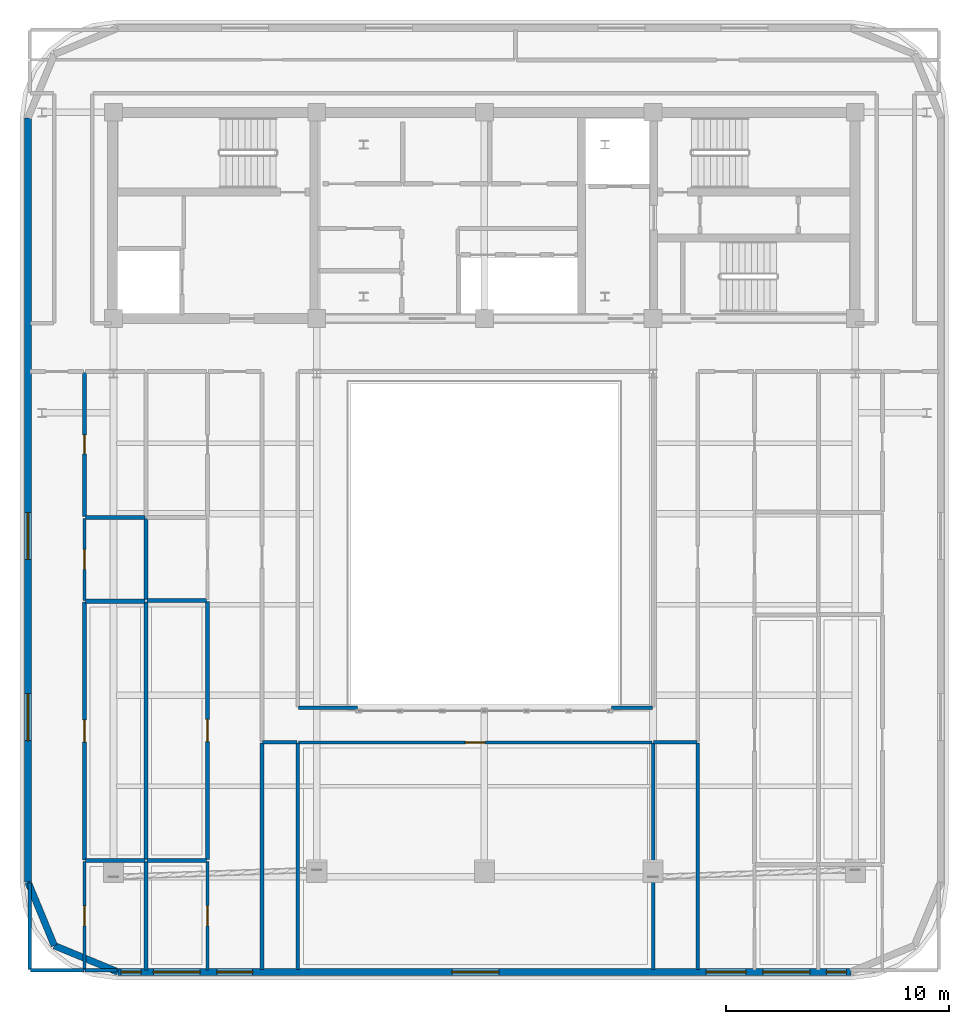
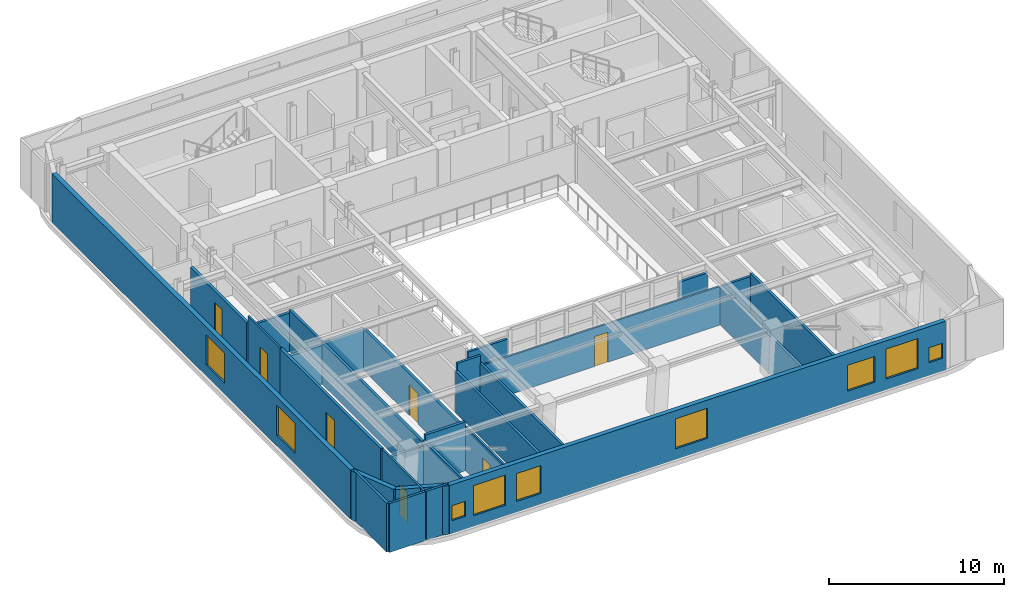
# One storey, part 6 of 13: 30 walls, 9 windows, 7 doors, 16 openings.
"""IFC4 building model written with IfcOpenShell, lengths in metres."""

from ifc_helpers import new_model, si_unit, direction, frame, frame_2d, origin, place, context, subcontext, project, spatial, rectangle, extrude, material, layer, layer_set, type_object, element, fill, save


model = new_model("IFC4")

# Units and contexts
model_context = context("Model", 3, precision=1e-05, world=origin(), true_north=direction((0.0, 1.0)))
body_context = subcontext(model_context, "Body", "Model", "MODEL_VIEW")
ifc_project = project(units=[si_unit("LENGTHUNIT", "METRE"), si_unit("AREAUNIT", "SQUARE_METRE"), si_unit("VOLUMEUNIT", "CUBIC_METRE"), si_unit("PLANEANGLEUNIT", "RADIAN"), si_unit("MASSUNIT", "GRAM", prefix="KILO")], contexts=[model_context])

# Site, building, storey
site_placement = place(None, origin())
site = spatial("IfcSite", under=ifc_project, at=site_placement, CompositionType="ELEMENT")
building_placement = place(site_placement, origin())
building = spatial("IfcBuilding", under=site, at=building_placement, Name="Zarnavel Station Tower", CompositionType="ELEMENT")
storey_placement = place(building_placement, frame((0.0, 0.0, 254.699951171875)))
storey = spatial("IfcBuildingStorey", under=building, at=storey_placement, Name="L69", CompositionType="ELEMENT", Elevation=254.699951171875)

# Wall, openings, windows
ifc_material_1 = material(Name="Precast concrete C45/55 (Dark Basalt Finish)", Category="masonry")
ifc_layer_1 = layer(ifc_material_1, 0.300048828125)
ifc_layer_set_1 = layer_set([ifc_layer_1], Name="EW_BASALT_300")
wall_type_1 = type_object("IfcWallType", Name="EW_BASALT_300", PredefinedType="SOLIDWALL", material=ifc_layer_set_1)
wall_1_placement = place(storey_placement, frame((8.3798828125, 2.60009765625, 0.0), z_axis=(0.0, 0.0, 1.0), x_axis=(0.0, 1.0, 0.0)))
wall_1 = element("IfcWall", 1, at=wall_1_placement, inside=storey, type_object=wall_type_1, Name="L69 Exterior Basalt Masonry Frame Wall 09", PredefinedType="SOLIDWALL", context=body_context, shape_type="SweptSolid", body=[
    extrude(rectangle(XDim=34.199951171875, YDim=0.300048828125, at=frame_2d((17.10009765625, 0.0))), origin(), (0.0, 0.0, 1.0), 3.420166015625),
])
opening_1_placement = place(wall_1_placement, frame((6.330078125, 0.0, 0.75)))
opening_1 = element("IfcOpeningElement", 2, at=opening_1_placement, cuts=wall_1, Name="Opening WN05", PredefinedType="OPENING", context=body_context, shape_type="SweptSolid", body=[
    extrude(rectangle(XDim=2.10009765625, YDim=2.10009765625, at=frame_2d((1.050048828125, 1.050048828125))), frame((0.0, 0.159912109375, 0.0), z_axis=(0.0, -1.0, 0.0), x_axis=(1.0, 0.0, 0.0)), (0.0, 0.0, 1.0), 0.320068359375),
])
opening_2_placement = place(wall_1_placement, frame((14.43994140625, 0.0, 0.75)))
opening_2 = element("IfcOpeningElement", 3, at=opening_2_placement, cuts=wall_1, Name="Opening WN05", PredefinedType="OPENING", context=body_context, shape_type="SweptSolid", body=[
    extrude(rectangle(XDim=2.10009765625, YDim=2.10009765625, at=frame_2d((1.050048828125, 1.050048828125))), frame((0.0, 0.159912109375, 0.0), z_axis=(0.0, -1.0, 0.0), x_axis=(1.0, 0.0, 0.0)), (0.0, 0.0, 1.0), 0.320068359375),
])
ifc_material_2 = material(Name="Thermally Broken Black Aluminium and Low-E Dark Glass", Category="aluminium")
window_type_1 = type_object("IfcWindowType", Name="WN_2100x2100", PartitioningType="TRIPLE_PANEL_VERTICAL", PredefinedType="WINDOW", material=ifc_material_2)
window_1_placement = place(opening_1_placement, origin())
window_1 = element("IfcWindow", 4, at=window_1_placement, inside=storey, type_object=window_type_1, Name="L69 Recessed Facade Window 01", OverallHeight=2.10009765625, OverallWidth=2.10009765625, PartitioningType="SINGLE_PANEL", PredefinedType="WINDOW", context=body_context, shape_type="SweptSolid", body=[
    extrude(rectangle(XDim=2.10009765625, YDim=2.10009765625, at=frame_2d((1.050048828125, 1.050048828125))), frame((0.0, 0.030029296875, 0.0), z_axis=(0.0, -1.0, 0.0), x_axis=(1.0, 0.0, 0.0)), (0.0, 0.0, 1.0), 0.06005859375),
])
fill(opening_1, window_1)
window_2_placement = place(opening_2_placement, origin())
window_2 = element("IfcWindow", 5, at=window_2_placement, inside=storey, type_object=window_type_1, Name="L69 Recessed Facade Window 02", OverallHeight=2.10009765625, OverallWidth=2.10009765625, PartitioningType="SINGLE_PANEL", PredefinedType="WINDOW", context=body_context, shape_type="SweptSolid", body=[
    extrude(rectangle(XDim=2.10009765625, YDim=2.10009765625, at=frame_2d((1.050048828125, 1.050048828125))), frame((0.0, 0.030029296875, 0.0), z_axis=(0.0, -1.0, 0.0), x_axis=(1.0, 0.0, 0.0)), (0.0, 0.0, 1.0), 0.06005859375),
])
fill(opening_2, window_2)

# Walls
wall_2_placement = place(storey_placement, frame((9.557373046875, -0.24267578125, 0.0), z_axis=(0.0, 0.0, 1.0), x_axis=(-0.382676475685, 0.923882414032, 0.0)))
element("IfcWall", 6, at=wall_2_placement, inside=storey, type_object=wall_type_1, Name="L69 Exterior Basalt Masonry Frame Wall 10", PredefinedType="SOLIDWALL", context=body_context, shape_type="SweptSolid", body=[
    extrude(rectangle(XDim=3.076904296875, YDim=0.300048828125, at=frame_2d((1.53857421875, 0.0))), origin(), (0.0, 0.0, 1.0), 3.420166015625),
])
wall_3_placement = place(storey_placement, frame((12.39990234375, -1.419921875, 0.0), z_axis=(0.0, 0.0, 1.0), x_axis=(-0.92389884758, 0.382636798336, 0.0)))
element("IfcWall", 7, at=wall_3_placement, inside=storey, type_object=wall_type_1, Name="L69 Exterior Basalt Masonry Frame Wall 11", PredefinedType="SOLIDWALL", context=body_context, shape_type="SweptSolid", body=[
    extrude(rectangle(XDim=3.07666015625, YDim=0.300048828125, at=frame_2d((1.538330078125, 0.0))), origin(), (0.0, 0.0, 1.0), 3.420166015625),
])

# Wall, openings, windows
wall_4_placement = place(storey_placement, frame((45.199951171875, -1.419921875, 0.0), z_axis=(0.0, 0.0, 1.0), x_axis=(-1.0, 0.0, 0.0)))
wall_4 = element("IfcWall", 8, at=wall_4_placement, inside=storey, type_object=wall_type_1, Name="L69 Exterior Basalt Masonry Frame Wall 12", PredefinedType="SOLIDWALL", context=body_context, shape_type="SweptSolid", body=[
    extrude(rectangle(XDim=32.800048828125, YDim=0.300048828125, at=frame_2d((16.39990234375, 0.0))), origin(), (0.0, 0.0, 1.0), 3.420166015625),
])
opening_3_placement = place(wall_4_placement, frame((26.76953125, 0.0, 0.75)))
opening_3 = element("IfcOpeningElement", 9, at=opening_3_placement, cuts=wall_4, Name="Opening WN06", PredefinedType="OPENING", context=body_context, shape_type="SweptSolid", body=[
    extrude(rectangle(XDim=1.60009765625, YDim=1.949951171875, at=frame_2d((0.800048828125, 0.97509765625))), frame((0.0, 0.159912109375, 0.0), z_axis=(0.0, -1.0, 0.0), x_axis=(1.0, 0.0, 0.0)), (0.0, 0.0, 1.0), 0.320068359375),
])
opening_4_placement = place(wall_4_placement, frame((29.114501953125, 0.0, 0.75)))
opening_4 = element("IfcOpeningElement", 10, at=opening_4_placement, cuts=wall_4, Name="Opening WN05", PredefinedType="OPENING", context=body_context, shape_type="SweptSolid", body=[
    extrude(rectangle(XDim=2.10009765625, YDim=2.10009765625, at=frame_2d((1.050048828125, 1.050048828125))), frame((0.0, 0.159912109375, 0.0), z_axis=(0.0, -1.0, 0.0), x_axis=(1.0, 0.0, 0.0)), (0.0, 0.0, 1.0), 0.320068359375),
])
opening_5_placement = place(wall_4_placement, frame((15.75, 0.0, 0.75)))
opening_5 = element("IfcOpeningElement", 11, at=opening_5_placement, cuts=wall_4, Name="Opening WN05", PredefinedType="OPENING", context=body_context, shape_type="SweptSolid", body=[
    extrude(rectangle(XDim=2.10009765625, YDim=2.10009765625, at=frame_2d((1.050048828125, 1.050048828125))), frame((0.0, 0.159912109375, 0.0), z_axis=(0.0, -1.0, 0.0), x_axis=(1.0, 0.0, 0.0)), (0.0, 0.0, 1.0), 0.320068359375),
])
opening_6_placement = place(wall_4_placement, frame((4.680908203125, 0.0, 0.800048828125)))
opening_6 = element("IfcOpeningElement", 12, at=opening_6_placement, cuts=wall_4, Name="Opening WN02", PredefinedType="OPENING", context=body_context, shape_type="SweptSolid", body=[
    extrude(rectangle(XDim=1.800048828125, YDim=1.800048828125, at=frame_2d((0.89990234375, 0.89990234375))), frame((0.0, 0.159912109375, 0.0), z_axis=(0.0, -1.0, 0.0), x_axis=(1.0, 0.0, 0.0)), (0.0, 0.0, 1.0), 0.320068359375),
])
opening_7_placement = place(wall_4_placement, frame((1.8310546875, 0.0, 0.75)))
opening_7 = element("IfcOpeningElement", 13, at=opening_7_placement, cuts=wall_4, Name="Opening WN05", PredefinedType="OPENING", context=body_context, shape_type="SweptSolid", body=[
    extrude(rectangle(XDim=2.10009765625, YDim=2.10009765625, at=frame_2d((1.050048828125, 1.050048828125))), frame((0.0, 0.159912109375, 0.0), z_axis=(0.0, -1.0, 0.0), x_axis=(1.0, 0.0, 0.0)), (0.0, 0.0, 1.0), 0.320068359375),
])
opening_8_placement = place(wall_4_placement, frame((0.199951171875, 0.0, 0.89990234375)))
opening_8 = element("IfcOpeningElement", 14, at=opening_8_placement, cuts=wall_4, Name="Opening WN11", PredefinedType="OPENING", context=body_context, shape_type="SweptSolid", body=[
    extrude(rectangle(XDim=0.89990234375, YDim=1.050048828125, at=frame_2d((0.449951171875, 0.52490234375))), frame((0.0, 0.159912109375, 0.0), z_axis=(0.0, -1.0, 0.0), x_axis=(1.0, 0.0, 0.0)), (0.0, 0.0, 1.0), 0.320068359375),
])
opening_9_placement = place(wall_4_placement, frame((31.760009765625, 0.0, 0.89990234375)))
opening_9 = element("IfcOpeningElement", 15, at=opening_9_placement, cuts=wall_4, Name="Opening WN11", PredefinedType="OPENING", context=body_context, shape_type="SweptSolid", body=[
    extrude(rectangle(XDim=0.89990234375, YDim=1.050048828125, at=frame_2d((0.449951171875, 0.52490234375))), frame((0.0, 0.159912109375, 0.0), z_axis=(0.0, -1.0, 0.0), x_axis=(1.0, 0.0, 0.0)), (0.0, 0.0, 1.0), 0.320068359375),
])
ifc_material_3 = material(Name="Thermally Broken Black Anodised Aluminium and Double Low-E Glazing", Category="aluminium")
window_type_2 = type_object("IfcWindowType", Name="WN_0900x1050", PartitioningType="SINGLE_PANEL", PredefinedType="WINDOW", material=ifc_material_3)
window_3_placement = place(opening_8_placement, origin())
window_3 = element("IfcWindow", 16, at=window_3_placement, inside=storey, type_object=window_type_2, Name="L69 South Bedroom Window UE2B1", OverallHeight=1.050048828125, OverallWidth=0.89990234375, PartitioningType="SINGLE_PANEL", PredefinedType="WINDOW", context=body_context, shape_type="SweptSolid", body=[
    extrude(rectangle(XDim=0.89990234375, YDim=1.050048828125, at=frame_2d((0.449951171875, 0.52490234375))), frame((0.0, 0.030029296875, 0.0), z_axis=(0.0, -1.0, 0.0), x_axis=(1.0, 0.0, 0.0)), (0.0, 0.0, 1.0), 0.06005859375),
])
fill(opening_8, window_3)
window_4_placement = place(opening_9_placement, origin())
window_4 = element("IfcWindow", 17, at=window_4_placement, inside=storey, type_object=window_type_2, Name="L69 South Bedroom Window UW1B1", OverallHeight=1.050048828125, OverallWidth=0.89990234375, PartitioningType="SINGLE_PANEL", PredefinedType="WINDOW", context=body_context, shape_type="SweptSolid", body=[
    extrude(rectangle(XDim=0.89990234375, YDim=1.050048828125, at=frame_2d((0.449951171875, 0.52490234375))), frame((0.0, 0.030029296875, 0.0), z_axis=(0.0, -1.0, 0.0), x_axis=(1.0, 0.0, 0.0)), (0.0, 0.0, 1.0), 0.06005859375),
])
fill(opening_9, window_4)
ifc_material_4 = material(Name="Thermally Broken Black Aluminium and Low-E Dark Glass", Category="aluminium")
window_type_3 = type_object("IfcWindowType", Name="WN_1600x1950", PartitioningType="DOUBLE_PANEL_VERTICAL", PredefinedType="WINDOW", material=ifc_material_4)
window_5_placement = place(opening_3_placement, origin())
window_5 = element("IfcWindow", 18, at=window_5_placement, inside=storey, type_object=window_type_3, Name="L69 Recessed Facade Window 01", OverallHeight=1.949951171875, OverallWidth=1.60009765625, PartitioningType="SINGLE_PANEL", PredefinedType="WINDOW", context=body_context, shape_type="SweptSolid", body=[
    extrude(rectangle(XDim=1.60009765625, YDim=1.949951171875, at=frame_2d((0.800048828125, 0.97509765625))), frame((0.0, 0.030029296875, 0.0), z_axis=(0.0, -1.0, 0.0), x_axis=(1.0, 0.0, 0.0)), (0.0, 0.0, 1.0), 0.06005859375),
])
fill(opening_3, window_5)
ifc_material_5 = material(Name="Thermally Broken Black Aluminium and Low-E Dark Glass", Category="aluminium")
window_type_4 = type_object("IfcWindowType", Name="WN_1800x1800", PartitioningType="DOUBLE_PANEL_VERTICAL", PredefinedType="WINDOW", material=ifc_material_5)
window_6_placement = place(opening_6_placement, origin())
window_6 = element("IfcWindow", 19, at=window_6_placement, inside=storey, type_object=window_type_4, Name="L69 Recessed Facade Window 04", OverallHeight=1.800048828125, OverallWidth=1.800048828125, PartitioningType="SINGLE_PANEL", PredefinedType="WINDOW", context=body_context, shape_type="SweptSolid", body=[
    extrude(rectangle(XDim=1.800048828125, YDim=1.800048828125, at=frame_2d((0.89990234375, 0.89990234375))), frame((0.0, 0.030029296875, 0.0), z_axis=(0.0, -1.0, 0.0), x_axis=(1.0, 0.0, 0.0)), (0.0, 0.0, 1.0), 0.06005859375),
])
fill(opening_6, window_6)
window_7_placement = place(opening_4_placement, origin())
window_7 = element("IfcWindow", 20, at=window_7_placement, inside=storey, type_object=window_type_1, Name="L69 Recessed Facade Window 02", OverallHeight=2.10009765625, OverallWidth=2.10009765625, PartitioningType="SINGLE_PANEL", PredefinedType="WINDOW", context=body_context, shape_type="SweptSolid", body=[
    extrude(rectangle(XDim=2.10009765625, YDim=2.10009765625, at=frame_2d((1.050048828125, 1.050048828125))), frame((0.0, 0.030029296875, 0.0), z_axis=(0.0, -1.0, 0.0), x_axis=(1.0, 0.0, 0.0)), (0.0, 0.0, 1.0), 0.06005859375),
])
fill(opening_4, window_7)
window_8_placement = place(opening_5_placement, origin())
window_8 = element("IfcWindow", 21, at=window_8_placement, inside=storey, type_object=window_type_1, Name="L69 Recessed Facade Window 03", OverallHeight=2.10009765625, OverallWidth=2.10009765625, PartitioningType="SINGLE_PANEL", PredefinedType="WINDOW", context=body_context, shape_type="SweptSolid", body=[
    extrude(rectangle(XDim=2.10009765625, YDim=2.10009765625, at=frame_2d((1.050048828125, 1.050048828125))), frame((0.0, 0.030029296875, 0.0), z_axis=(0.0, -1.0, 0.0), x_axis=(1.0, 0.0, 0.0)), (0.0, 0.0, 1.0), 0.06005859375),
])
fill(opening_5, window_8)
window_9_placement = place(opening_7_placement, origin())
window_9 = element("IfcWindow", 22, at=window_9_placement, inside=storey, type_object=window_type_1, Name="L69 Recessed Facade Window 05", OverallHeight=2.10009765625, OverallWidth=2.10009765625, PartitioningType="SINGLE_PANEL", PredefinedType="WINDOW", context=body_context, shape_type="SweptSolid", body=[
    extrude(rectangle(XDim=2.10009765625, YDim=2.10009765625, at=frame_2d((1.050048828125, 1.050048828125))), frame((0.0, 0.030029296875, 0.0), z_axis=(0.0, -1.0, 0.0), x_axis=(1.0, 0.0, 0.0)), (0.0, 0.0, 1.0), 0.06005859375),
])
fill(opening_7, window_9)

# Walls
ifc_material_6 = material(Name="Gypsum Twin-Stud Acoustic Fire Partition", Category="concrete")
ifc_layer_2 = layer(ifc_material_6, 0.159912109375)
ifc_layer_set_2 = layer_set([ifc_layer_2], Name="PT_DEMISE_160")
wall_type_2 = type_object("IfcWallType", Name="PT_DEMISE_160", PredefinedType="PARTITIONING", material=ifc_layer_set_2)
wall_5_placement = place(storey_placement, frame((13.659912109375, -1.340087890625, 0.0), z_axis=(0.0, 0.0, 1.0), x_axis=(0.0, 1.0, 0.0)))
element("IfcWall", 23, at=wall_5_placement, inside=storey, type_object=wall_type_2, Name="L69 Partition UW1B1-UW2B1", PredefinedType="PARTITIONING", context=body_context, shape_type="SweptSolid", body=[
    extrude(rectangle(XDim=4.858154296875, YDim=0.159912109375, at=frame_2d((2.42919921875, 0.0))), origin(), (0.0, 0.0, 1.0), 3.080078125),
])
wall_6_placement = place(storey_placement, frame((13.659912109375, 15.239013671875, 0.0), z_axis=(0.0, 0.0, 1.0), x_axis=(0.0, 1.0, 0.0)))
element("IfcWall", 24, at=wall_6_placement, inside=storey, type_object=wall_type_2, Name="L69 Partition UW1UT-UW2UT", PredefinedType="PARTITIONING", context=body_context, shape_type="SweptSolid", body=[
    extrude(rectangle(XDim=3.6279296875, YDim=0.159912109375, at=frame_2d((1.81396484375, 0.0))), origin(), (0.0, 0.0, 1.0), 2.900146484375),
])
wall_7_placement = place(storey_placement, frame((18.8798828125, 8.85009765625, 0.0), z_axis=(0.0, 0.0, 1.0), x_axis=(1.0, 0.0, 0.0)))
element("IfcWall", 25, at=wall_7_placement, inside=storey, type_object=wall_type_2, Name="L69 Enclosure Wall COR-AW", PredefinedType="PARTITIONING", context=body_context, shape_type="SweptSolid", body=[
    extrude(rectangle(XDim=1.5400390625, YDim=0.159912109375, at=frame_2d((0.77001953125, 0.0))), origin(), (0.0, 0.0, 1.0), 3.420166015625),
])
wall_8_placement = place(storey_placement, frame((36.3798828125, 8.85009765625, 0.0), z_axis=(0.0, 0.0, 1.0), x_axis=(1.0, 0.0, 0.0)))
element("IfcWall", 26, at=wall_8_placement, inside=storey, type_object=wall_type_2, Name="L69 Enclosure Wall COR-AE", PredefinedType="PARTITIONING", context=body_context, shape_type="SweptSolid", body=[
    extrude(rectangle(XDim=1.940185546875, YDim=0.159912109375, at=frame_2d((0.97021484375, 0.0))), origin(), (0.0, 0.0, 1.0), 2.699951171875),
])
wall_9_placement = place(storey_placement, frame((20.47998046875, 10.39990234375, 0.0), z_axis=(0.0, 0.0, 1.0), x_axis=(1.0, 0.0, 0.0)))
element("IfcWall", 27, at=wall_9_placement, inside=storey, type_object=wall_type_2, Name="L69 Enclosure Wall COR-AS", PredefinedType="PARTITIONING", context=body_context, shape_type="SweptSolid", body=[
    extrude(rectangle(XDim=2.64013671875, YDim=0.159912109375, at=frame_2d((1.320068359375, 0.0))), origin(), (0.0, 0.0, 1.0), 2.699951171875),
])
wall_10_placement = place(storey_placement, frame((34.47998046875, 10.39990234375, 0.0), z_axis=(0.0, 0.0, 1.0), x_axis=(1.0, 0.0, 0.0)))
element("IfcWall", 28, at=wall_10_placement, inside=storey, type_object=wall_type_2, Name="L69 Enclosure Wall COR-AS", PredefinedType="PARTITIONING", context=body_context, shape_type="SweptSolid", body=[
    extrude(rectangle(XDim=1.840087890625, YDim=0.159912109375, at=frame_2d((0.919921875, 0.0))), origin(), (0.0, 0.0, 1.0), 2.699951171875),
])
wall_11_placement = place(storey_placement, frame((8.489990234375, -1.340087890625, 0.0), z_axis=(0.0, 0.0, 1.0), x_axis=(1.0, 0.0, 0.0)))
element("IfcWall", 29, at=wall_11_placement, inside=storey, type_object=wall_type_2, Name="L69 Enclosure Wall UW1LV", PredefinedType="PARTITIONING", context=body_context, shape_type="SweptSolid", body=[
    extrude(rectangle(XDim=2.384033203125, YDim=0.159912109375, at=frame_2d((1.19189453125, 0.0))), origin(), (0.0, 0.0, 1.0), 3.420166015625),
])
wall_12_placement = place(storey_placement, frame((8.4599609375, -1.31005859375, 0.0), z_axis=(0.0, 0.0, 1.0), x_axis=(0.0, 1.0, 0.0)))
element("IfcWall", 30, at=wall_12_placement, inside=storey, type_object=wall_type_2, Name="L69 Enclosure Wall UW1LV", PredefinedType="PARTITIONING", context=body_context, shape_type="SweptSolid", body=[
    extrude(rectangle(XDim=3.880126953125, YDim=0.159912109375, at=frame_2d((1.93994140625, 0.0))), origin(), (0.0, 0.0, 1.0), 3.420166015625),
])
wall_13_placement = place(storey_placement, frame((10.93408203125, -1.340087890625, 0.0), z_axis=(0.0, 0.0, 1.0), x_axis=(1.0, 0.0, 0.0)))
element("IfcWall", 31, at=wall_13_placement, inside=storey, type_object=wall_type_2, Name="L69 Enclosure Wall UW1B1", PredefinedType="PARTITIONING", context=body_context, shape_type="SweptSolid", body=[
    extrude(rectangle(XDim=1.43603515625, YDim=0.159912109375, at=frame_2d((0.718017578125, 0.0))), origin(), (0.0, 0.0, 1.0), 3.420166015625),
])
for number, where, z_axis, x_axis, name in (
    (32, (18.85009765625, -1.31005859375, 0.0), (0.0, 0.0, 1.0), (0.0, 1.0, 0.0), "L69 Enclosure Wall UW2LV"),
    (33, (20.449951171875, -1.31005859375, 0.0), (0.0, 0.0, 1.0), (0.0, 1.0, 0.0), "L69 Enclosure Wall L69OBS"),
):
    element("IfcWall", number, at=place(storey_placement, frame(where, z_axis=z_axis, x_axis=x_axis)), inside=storey, type_object=wall_type_2, Name=name, PredefinedType="PARTITIONING", context=body_context, shape_type="SweptSolid", body=[
        extrude(rectangle(XDim=10.130126953125, YDim=0.159912109375, at=frame_2d((5.06494140625, 0.0))), origin(), (0.0, 0.0, 1.0), 2.900146484375),
    ])
wall_14_placement = place(storey_placement, frame((36.35009765625, -1.31005859375, 0.0), z_axis=(0.0, 0.0, 1.0), x_axis=(0.0, 1.0, 0.0)))
element("IfcWall", 34, at=wall_14_placement, inside=storey, type_object=wall_type_2, Name="L69 Enclosure Wall L69OBS", PredefinedType="PARTITIONING", context=body_context, shape_type="SweptSolid", body=[
    extrude(rectangle(XDim=10.130126953125, YDim=0.159912109375, at=frame_2d((5.06494140625, 0.0))), origin(), (0.0, 0.0, 1.0), 2.699951171875),
])
wall_15_placement = place(storey_placement, frame((38.35009765625, -1.31005859375, 0.0), z_axis=(0.0, 0.0, 1.0), x_axis=(0.0, 1.0, 0.0)))
element("IfcWall", 35, at=wall_15_placement, inside=storey, type_object=wall_type_2, Name="L69 Enclosure Wall UE1LV", PredefinedType="PARTITIONING", context=body_context, shape_type="SweptSolid", body=[
    extrude(rectangle(XDim=10.130126953125, YDim=0.159912109375, at=frame_2d((5.06494140625, 0.0))), origin(), (0.0, 0.0, 1.0), 2.900146484375),
])

# Wall, opening, door
ifc_material_7 = material(Name="Gypsum Metal-Stud Interior Partition", Category="concrete")
ifc_layer_3 = layer(ifc_material_7, 0.1201171875)
ifc_layer_set_3 = layer_set([ifc_layer_3], Name="PT_ROOM_120")
wall_type_3 = type_object("IfcWallType", Name="PT_ROOM_120", PredefinedType="PARTITIONING", material=ifc_layer_set_3)
wall_16_placement = place(storey_placement, frame((20.489990234375, 8.85009765625, 0.0), z_axis=(0.0, 0.0, 1.0), x_axis=(1.0, 0.0, 0.0)))
wall_16 = element("IfcWall", 36, at=wall_16_placement, inside=storey, type_object=wall_type_3, Name="L69 Partition COR-AS-L69OBS", PredefinedType="PARTITIONING", context=body_context, shape_type="SweptSolid", body=[
    extrude(rectangle(XDim=15.820068359375, YDim=0.1201171875, at=frame_2d((7.91015625, 0.0))), origin(), (0.0, 0.0, 1.0), 2.699951171875),
])
opening_10_placement = place(wall_16_placement, frame((7.4599609375, 0.0, 0.0)))
opening_10 = element("IfcOpeningElement", 37, at=opening_10_placement, cuts=wall_16, Name="Opening ID01", PredefinedType="OPENING", context=body_context, shape_type="SweptSolid", body=[
    extrude(rectangle(XDim=0.89990234375, YDim=2.10009765625, at=frame_2d((0.449951171875, 1.050048828125))), frame((0.0, 0.070068359375, 0.0), z_axis=(0.0, -1.0, 0.0), x_axis=(1.0, 0.0, 0.0)), (0.0, 0.0, 1.0), 0.14013671875),
])
ifc_material_8 = material(Name="Painted Galvanised Steel and Hardwood Leaf", Category="steel")
door_type_1 = type_object("IfcDoorType", Name="ID_ROOM_900", OperationType="NOTDEFINED", PredefinedType="DOOR", material=ifc_material_8)
door_1_placement = place(opening_10_placement, origin())
door_1 = element("IfcDoor", 38, at=door_1_placement, inside=storey, type_object=door_type_1, Name="L69 Door COR-AS-L69OBS", OperationType="SINGLE_SWING_RIGHT", OverallHeight=2.10009765625, OverallWidth=0.89990234375, PredefinedType="DOOR", context=body_context, shape_type="SweptSolid", body=[
    extrude(rectangle(XDim=0.89990234375, YDim=2.10009765625, at=frame_2d((0.449951171875, 1.050048828125))), frame((0.0, 0.02490234375, 0.0), z_axis=(0.0, -1.0, 0.0), x_axis=(1.0, 0.0, 0.0)), (0.0, 0.0, 1.0), 0.050048828125),
])
fill(opening_10, door_1)

wall_17_placement = place(storey_placement, frame((10.904052734375, -1.340087890625, 0.0), z_axis=(0.0, 0.0, 1.0), x_axis=(0.0, 1.0, 0.0)))
wall_17 = element("IfcWall", 39, at=wall_17_placement, inside=storey, type_object=wall_type_3, Name="L69 Partition UW1LV-UW1B1", PredefinedType="PARTITIONING", context=body_context, shape_type="SweptSolid", body=[
    extrude(rectangle(XDim=4.858154296875, YDim=0.1201171875, at=frame_2d((2.42919921875, 0.0))), origin(), (0.0, 0.0, 1.0), 3.420166015625),
])
opening_11_placement = place(wall_17_placement, frame((1.97900390625, 0.0, 0.0)))
opening_11 = element("IfcOpeningElement", 40, at=opening_11_placement, cuts=wall_17, Name="Opening ID01", PredefinedType="OPENING", context=body_context, shape_type="SweptSolid", body=[
    extrude(rectangle(XDim=0.89990234375, YDim=2.10009765625, at=frame_2d((0.449951171875, 1.050048828125))), frame((0.0, 0.070068359375, 0.0), z_axis=(0.0, -1.0, 0.0), x_axis=(1.0, 0.0, 0.0)), (0.0, 0.0, 1.0), 0.14013671875),
])
door_2_placement = place(opening_11_placement, origin())
door_2 = element("IfcDoor", 41, at=door_2_placement, inside=storey, type_object=door_type_1, Name="L69 Door UW1LV-UW1B1", OperationType="SINGLE_SWING_LEFT", OverallHeight=2.10009765625, OverallWidth=0.89990234375, PredefinedType="DOOR", context=body_context, shape_type="SweptSolid", body=[
    extrude(rectangle(XDim=0.89990234375, YDim=2.10009765625, at=frame_2d((0.449951171875, 1.050048828125))), frame((0.0, 0.02490234375, 0.0), z_axis=(0.0, -1.0, 0.0), x_axis=(1.0, 0.0, 0.0)), (0.0, 0.0, 1.0), 0.050048828125),
])
fill(opening_11, door_2)

wall_18_placement = place(storey_placement, frame((10.904052734375, 15.208984375, 0.0), z_axis=(0.0, 0.0, 1.0), x_axis=(0.0, 1.0, 0.0)))
wall_18 = element("IfcWall", 42, at=wall_18_placement, inside=storey, type_object=wall_type_3, Name="L69 Partition UW1LV-UW1UT", PredefinedType="PARTITIONING", context=body_context, shape_type="SweptSolid", body=[
    extrude(rectangle(XDim=3.669921875, YDim=0.1201171875, at=frame_2d((1.8349609375, 0.0))), origin(), (0.0, 0.0, 1.0), 3.420166015625),
])
opening_12_placement = place(wall_18_placement, frame((1.385009765625, 0.0, 0.0)))
opening_12 = element("IfcOpeningElement", 43, at=opening_12_placement, cuts=wall_18, Name="Opening ID01", PredefinedType="OPENING", context=body_context, shape_type="SweptSolid", body=[
    extrude(rectangle(XDim=0.89990234375, YDim=2.10009765625, at=frame_2d((0.449951171875, 1.050048828125))), frame((0.0, 0.070068359375, 0.0), z_axis=(0.0, -1.0, 0.0), x_axis=(1.0, 0.0, 0.0)), (0.0, 0.0, 1.0), 0.14013671875),
])
door_3_placement = place(opening_12_placement, origin())
door_3 = element("IfcDoor", 44, at=door_3_placement, inside=storey, type_object=door_type_1, Name="L69 Door UW1LV-UW1UT", OperationType="SINGLE_SWING_LEFT", OverallHeight=2.10009765625, OverallWidth=0.89990234375, PredefinedType="DOOR", context=body_context, shape_type="SweptSolid", body=[
    extrude(rectangle(XDim=0.89990234375, YDim=2.10009765625, at=frame_2d((0.449951171875, 1.050048828125))), frame((0.0, 0.02490234375, 0.0), z_axis=(0.0, -1.0, 0.0), x_axis=(1.0, 0.0, 0.0)), (0.0, 0.0, 1.0), 0.050048828125),
])
fill(opening_12, door_3)

wall_19_placement = place(storey_placement, frame((16.410888671875, -1.340087890625, 0.0), z_axis=(0.0, 0.0, 1.0), x_axis=(0.0, 1.0, 0.0)))
wall_19 = element("IfcWall", 45, at=wall_19_placement, inside=storey, type_object=wall_type_3, Name="L69 Partition UW2LV-UW2B1", PredefinedType="PARTITIONING", context=body_context, shape_type="SweptSolid", body=[
    extrude(rectangle(XDim=4.8671875, YDim=0.1201171875, at=frame_2d((2.43359375, 0.0))), origin(), (0.0, 0.0, 1.0), 3.080078125),
])
opening_13_placement = place(wall_19_placement, frame((1.9833984375, 0.0, 0.0)))
opening_13 = element("IfcOpeningElement", 46, at=opening_13_placement, cuts=wall_19, Name="Opening ID01", PredefinedType="OPENING", context=body_context, shape_type="SweptSolid", body=[
    extrude(rectangle(XDim=0.89990234375, YDim=2.10009765625, at=frame_2d((0.449951171875, 1.050048828125))), frame((0.0, 0.070068359375, 0.0), z_axis=(0.0, -1.0, 0.0), x_axis=(1.0, 0.0, 0.0)), (0.0, 0.0, 1.0), 0.14013671875),
])
door_4_placement = place(opening_13_placement, origin())
door_4 = element("IfcDoor", 47, at=door_4_placement, inside=storey, type_object=door_type_1, Name="L69 Door UW2LV-UW2B1", OperationType="SINGLE_SWING_LEFT", OverallHeight=2.10009765625, OverallWidth=0.89990234375, PredefinedType="DOOR", context=body_context, shape_type="SweptSolid", body=[
    extrude(rectangle(XDim=0.89990234375, YDim=2.10009765625, at=frame_2d((0.449951171875, 1.050048828125))), frame((0.0, 0.02490234375, 0.0), z_axis=(0.0, -1.0, 0.0), x_axis=(1.0, 0.0, 0.0)), (0.0, 0.0, 1.0), 0.050048828125),
])
fill(opening_13, door_4)

ifc_material_9 = material(Name="Moisture-Resistant Plumbing Chase Wall", Category="concrete")
ifc_layer_4 = layer(ifc_material_9, 0.179931640625)
ifc_layer_set_4 = layer_set([ifc_layer_4], Name="PW_PLUMB_180")
wall_type_4 = type_object("IfcWallType", Name="PW_PLUMB_180", PredefinedType="PLUMBINGWALL", material=ifc_layer_set_4)
wall_20_placement = place(storey_placement, frame((10.904052734375, 3.597900390625, 0.0), z_axis=(0.0, 0.0, 1.0), x_axis=(0.0, 1.0, 0.0)))
wall_20 = element("IfcWall", 48, at=wall_20_placement, inside=storey, type_object=wall_type_4, Name="L69 Partition UW1LV-UW1KT", PredefinedType="PLUMBINGWALL", context=body_context, shape_type="SweptSolid", body=[
    extrude(rectangle(XDim=11.531005859375, YDim=0.179931640625, at=frame_2d((5.765625, 0.0))), origin(), (0.0, 0.0, 1.0), 3.420166015625),
])
opening_14_placement = place(wall_20_placement, frame((5.265380859375, 0.0, 0.0)))
opening_14 = element("IfcOpeningElement", 49, at=opening_14_placement, cuts=wall_20, Name="Opening FD02", PredefinedType="OPENING", context=body_context, shape_type="SweptSolid", body=[
    extrude(rectangle(XDim=1.0, YDim=2.14990234375, at=frame_2d((0.5, 1.074951171875))), frame((0.0, 0.099853515625, 0.0), z_axis=(0.0, -1.0, 0.0), x_axis=(1.0, 0.0, 0.0)), (0.0, 0.0, 1.0), 0.199951171875),
])
ifc_material_10 = material(Name="Painted Galvanised Steel and Hardwood Leaf", Category="steel")
door_type_2 = type_object("IfcDoorType", Name="ID_ENTRY_1000", OperationType="NOTDEFINED", PredefinedType="DOOR", material=ifc_material_10)
door_5_placement = place(opening_14_placement, origin())
door_5 = element("IfcDoor", 50, at=door_5_placement, inside=storey, type_object=door_type_2, Name="L69 Door UW1LV-UW1KT", OperationType="SINGLE_SWING_RIGHT", OverallHeight=2.14990234375, OverallWidth=1.0, PredefinedType="DOOR", context=body_context, shape_type="SweptSolid", body=[
    extrude(rectangle(XDim=1.0, YDim=2.14990234375, at=frame_2d((0.5, 1.074951171875))), frame((0.0, 0.02490234375, 0.0), z_axis=(0.0, -1.0, 0.0), x_axis=(1.0, 0.0, 0.0)), (0.0, 0.0, 1.0), 0.050048828125),
])
fill(opening_14, door_5)

wall_21_placement = place(storey_placement, frame((10.904052734375, 18.958984375, 0.0), z_axis=(0.0, 0.0, 1.0), x_axis=(0.0, 1.0, 0.0)))
wall_21 = element("IfcWall", 51, at=wall_21_placement, inside=storey, type_object=wall_type_4, Name="L69 Partition UW1LV-UW1BA", PredefinedType="PLUMBINGWALL", context=body_context, shape_type="SweptSolid", body=[
    extrude(rectangle(XDim=6.450927734375, YDim=0.179931640625, at=frame_2d((3.2255859375, 0.0))), origin(), (0.0, 0.0, 1.0), 2.900146484375),
])
opening_15_placement = place(wall_21_placement, frame((2.800537109375, 0.0, 0.0)))
opening_15 = element("IfcOpeningElement", 52, at=opening_15_placement, cuts=wall_21, Name="Opening ID02", PredefinedType="OPENING", context=body_context, shape_type="SweptSolid", body=[
    extrude(rectangle(XDim=0.85009765625, YDim=2.10009765625, at=frame_2d((0.425048828125, 1.050048828125))), frame((0.0, 0.099853515625, 0.0), z_axis=(0.0, -1.0, 0.0), x_axis=(1.0, 0.0, 0.0)), (0.0, 0.0, 1.0), 0.199951171875),
])
ifc_material_11 = material(Name="Painted Galvanised Steel and Hardwood Leaf", Category="steel")
door_type_3 = type_object("IfcDoorType", Name="ID_BATH_850", OperationType="NOTDEFINED", PredefinedType="DOOR", material=ifc_material_11)
door_6_placement = place(opening_15_placement, origin())
door_6 = element("IfcDoor", 53, at=door_6_placement, inside=storey, type_object=door_type_3, Name="L69 Door UW1LV-UW1BA", OperationType="SINGLE_SWING_RIGHT", OverallHeight=2.10009765625, OverallWidth=0.85009765625, PredefinedType="DOOR", context=body_context, shape_type="SweptSolid", body=[
    extrude(rectangle(XDim=0.85009765625, YDim=2.10009765625, at=frame_2d((0.425048828125, 1.050048828125))), frame((0.0, 0.02490234375, 0.0), z_axis=(0.0, -1.0, 0.0), x_axis=(1.0, 0.0, 0.0)), (0.0, 0.0, 1.0), 0.050048828125),
])
fill(opening_15, door_6)

# Walls
for number, where, z_axis, x_axis, name in (
    (54, (10.944091796875, 3.55810546875, 0.0), (0.0, 0.0, 1.0), (1.0, 0.0, 0.0), "L69 Partition UW1B1-UW1KT"),
    (55, (10.944091796875, 15.1689453125, 0.0), (0.0, 0.0, 1.0), (1.0, 0.0, 0.0), "L69 Partition UW1KT-UW1UT"),
):
    element("IfcWall", number, at=place(storey_placement, frame(where, z_axis=z_axis, x_axis=x_axis)), inside=storey, type_object=wall_type_4, Name=name, PredefinedType="PLUMBINGWALL", context=body_context, shape_type="SweptSolid", body=[
        extrude(rectangle(XDim=2.676025390625, YDim=0.179931640625, at=frame_2d((1.337890625, 0.0))), origin(), (0.0, 0.0, 1.0), 2.699951171875),
    ])
wall_22_placement = place(storey_placement, frame((13.659912109375, 3.60693359375, 0.0), z_axis=(0.0, 0.0, 1.0), x_axis=(0.0, 1.0, 0.0)))
element("IfcWall", 56, at=wall_22_placement, inside=storey, type_object=wall_type_4, Name="L69 Partition UW1KT-UW2KT", PredefinedType="PLUMBINGWALL", context=body_context, shape_type="SweptSolid", body=[
    extrude(rectangle(XDim=11.52197265625, YDim=0.179931640625, at=frame_2d((5.760986328125, 0.0))), origin(), (0.0, 0.0, 1.0), 2.900146484375),
])
wall_23_placement = place(storey_placement, frame((10.944091796875, 18.9189453125, 0.0), z_axis=(0.0, 0.0, 1.0), x_axis=(1.0, 0.0, 0.0)))
element("IfcWall", 57, at=wall_23_placement, inside=storey, type_object=wall_type_4, Name="L69 Partition UW1UT-UW1BA", PredefinedType="PLUMBINGWALL", context=body_context, shape_type="SweptSolid", body=[
    extrude(rectangle(XDim=2.676025390625, YDim=0.179931640625, at=frame_2d((1.337890625, 0.0))), origin(), (0.0, 0.0, 1.0), 2.699951171875),
])

# Wall, opening, door
wall_24_placement = place(storey_placement, frame((16.410888671875, 3.60693359375, 0.0), z_axis=(0.0, 0.0, 1.0), x_axis=(0.0, 1.0, 0.0)))
wall_24 = element("IfcWall", 58, at=wall_24_placement, inside=storey, type_object=wall_type_4, Name="L69 Partition UW2LV-UW2KT", PredefinedType="PLUMBINGWALL", context=body_context, shape_type="SweptSolid", body=[
    extrude(rectangle(XDim=11.552001953125, YDim=0.179931640625, at=frame_2d((5.77587890625, 0.0))), origin(), (0.0, 0.0, 1.0), 2.900146484375),
])
opening_16_placement = place(wall_24_placement, frame((5.27587890625, 0.0, 0.0)))
opening_16 = element("IfcOpeningElement", 59, at=opening_16_placement, cuts=wall_24, Name="Opening FD02", PredefinedType="OPENING", context=body_context, shape_type="SweptSolid", body=[
    extrude(rectangle(XDim=1.0, YDim=2.14990234375, at=frame_2d((0.5, 1.074951171875))), frame((0.0, 0.099853515625, 0.0), z_axis=(0.0, -1.0, 0.0), x_axis=(1.0, 0.0, 0.0)), (0.0, 0.0, 1.0), 0.199951171875),
])
door_7_placement = place(opening_16_placement, origin())
door_7 = element("IfcDoor", 60, at=door_7_placement, inside=storey, type_object=door_type_2, Name="L69 Door UW2LV-UW2KT", OperationType="SINGLE_SWING_RIGHT", OverallHeight=2.14990234375, OverallWidth=1.0, PredefinedType="DOOR", context=body_context, shape_type="SweptSolid", body=[
    extrude(rectangle(XDim=1.0, YDim=2.14990234375, at=frame_2d((0.5, 1.074951171875))), frame((0.0, 0.02490234375, 0.0), z_axis=(0.0, -1.0, 0.0), x_axis=(1.0, 0.0, 0.0)), (0.0, 0.0, 1.0), 0.050048828125),
])
fill(opening_16, door_7)

# Walls
wall_25_placement = place(storey_placement, frame((13.699951171875, 3.56689453125, 0.0), z_axis=(0.0, 0.0, 1.0), x_axis=(1.0, 0.0, 0.0)))
element("IfcWall", 61, at=wall_25_placement, inside=storey, type_object=wall_type_4, Name="L69 Partition UW2B1-UW2KT", PredefinedType="PLUMBINGWALL", context=body_context, shape_type="SweptSolid", body=[
    extrude(rectangle(XDim=2.671142578125, YDim=0.179931640625, at=frame_2d((1.33544921875, 0.0))), origin(), (0.0, 0.0, 1.0), 3.420166015625),
])
wall_26_placement = place(storey_placement, frame((13.699951171875, 15.198974609375, 0.0), z_axis=(0.0, 0.0, 1.0), x_axis=(1.0, 0.0, 0.0)))
element("IfcWall", 62, at=wall_26_placement, inside=storey, type_object=wall_type_4, Name="L69 Partition UW2KT-UW2UT", PredefinedType="PLUMBINGWALL", context=body_context, shape_type="SweptSolid", body=[
    extrude(rectangle(XDim=2.671142578125, YDim=0.179931640625, at=frame_2d((1.33544921875, 0.0))), origin(), (0.0, 0.0, 1.0), 2.900146484375),
])

save(model, "model.ifc")
